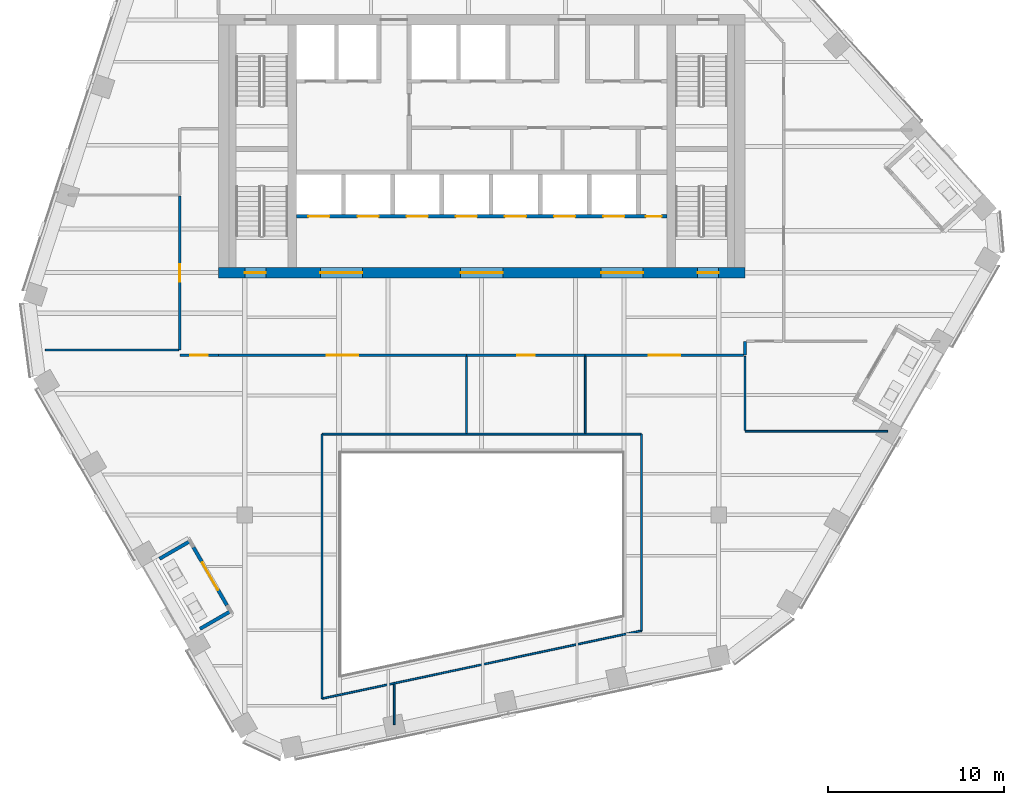
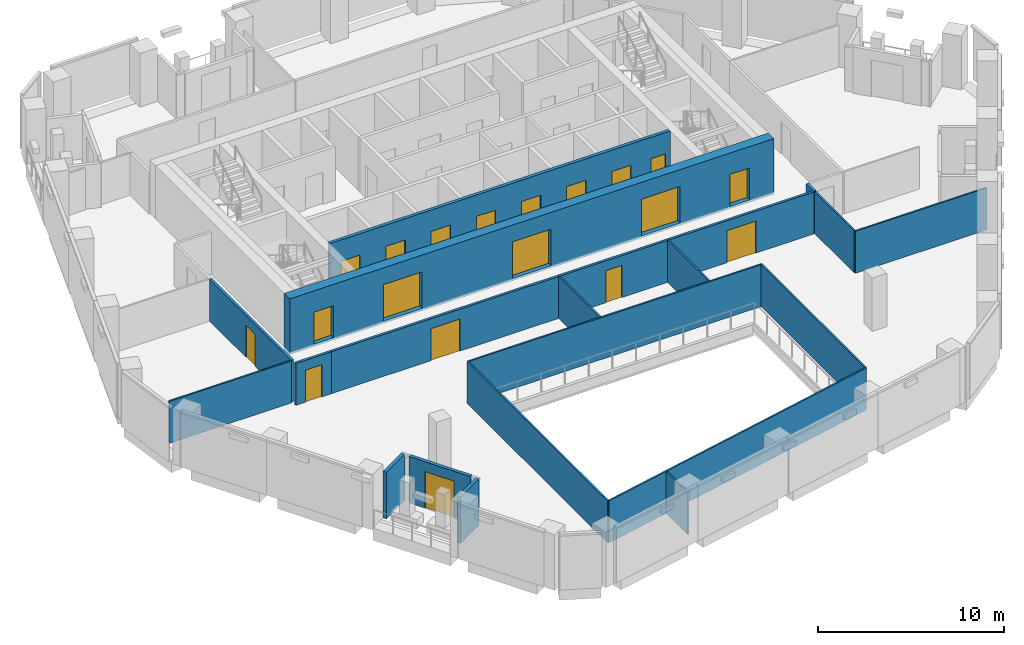
# One storey, part 16 of 25: 21 walls, 19 doors, 19 openings.
"""IFC4 building model written with IfcOpenShell, lengths in metres."""

from ifc_helpers import new_model, si_unit, direction, frame, frame_2d, origin, place, context, subcontext, project, spatial, rectangle, extrude, material, layer, layer_set, type_object, element, fill, save


model = new_model("IFC4")

# Units and contexts
model_context = context("Model", 3, precision=1e-05, world=origin(), true_north=direction((0.0, 1.0)))
body_context = subcontext(model_context, "Body", "Model", "MODEL_VIEW")
ifc_project = project(units=[si_unit("LENGTHUNIT", "METRE"), si_unit("AREAUNIT", "SQUARE_METRE"), si_unit("VOLUMEUNIT", "CUBIC_METRE"), si_unit("PLANEANGLEUNIT", "RADIAN"), si_unit("MASSUNIT", "GRAM", prefix="KILO")], contexts=[model_context])

# Site, building, storey
site_placement = place(None, origin())
site = spatial("IfcSite", under=ifc_project, at=site_placement, CompositionType="ELEMENT")
building_placement = place(site_placement, origin())
building = spatial("IfcBuilding", under=site, at=building_placement, Name="Isthmus Gate Tower", CompositionType="ELEMENT")
storey_placement = place(building_placement, frame((0.0, 0.0, 249.14990234375)))
storey = spatial("IfcBuildingStorey", under=building, at=storey_placement, Name="L63", CompositionType="ELEMENT", Elevation=249.14990234375)

# Walls
ifc_material_1 = material(Name="Fire-rated laminated glass in steel frame", Category="steel")
ifc_layer_1 = layer(ifc_material_1, 0.10009765625)
ifc_layer_set_1 = layer_set([ifc_layer_1], Name="ATRIUM SCREEN GLAZED WALL 100 120 MIN")
wall_type_1 = type_object("IfcWallType", Name="ATRIUM SCREEN GLAZED WALL 100 120 MIN", PredefinedType="PARTITIONING", material=ifc_layer_set_1)
wall_1_placement = place(storey_placement, frame((-9.10009765625, -8.89990234375, 0.0), z_axis=(0.0, 0.0, 1.0), x_axis=(1.0, 0.0, 0.0)))
element("IfcWall", 1, at=wall_1_placement, inside=storey, type_object=wall_type_1, Name="L63 atrium screen", PredefinedType="PARTITIONING", context=body_context, shape_type="SweptSolid", body=[
    extrude(rectangle(XDim=18.2001953125, YDim=0.10009765625, at=frame_2d((9.10009765625, 0.0))), origin(), (0.0, 0.0, 1.0), 2.750732421875),
])
wall_2_placement = place(storey_placement, frame((9.10009765625, -8.89990234375, 0.0), z_axis=(0.0, 0.0, 1.0), x_axis=(0.0, -1.0, 0.0)))
element("IfcWall", 2, at=wall_2_placement, inside=storey, type_object=wall_type_1, Name="L63 atrium screen", PredefinedType="PARTITIONING", context=body_context, shape_type="SweptSolid", body=[
    extrude(rectangle(XDim=11.200927734375, YDim=0.10009765625, at=frame_2d((5.6005859375, 0.0))), origin(), (0.0, 0.0, 1.0), 2.750732421875),
])
wall_3_placement = place(storey_placement, frame((9.10009765625, -20.100830078125, 0.0), z_axis=(0.0, 0.0, 1.0), x_axis=(-0.978146710971, -0.207915876778, 0.0)))
element("IfcWall", 3, at=wall_3_placement, inside=storey, type_object=wall_type_1, Name="L63 atrium screen", PredefinedType="PARTITIONING", context=body_context, shape_type="SweptSolid", body=[
    extrude(rectangle(XDim=18.60693359375, YDim=0.10009765625, at=frame_2d((9.303466796875, 0.0))), origin(), (0.0, 0.0, 1.0), 2.750732421875),
])
wall_4_placement = place(storey_placement, frame((-9.10009765625, -23.969482421875, 0.0), z_axis=(0.0, 0.0, 1.0), x_axis=(0.0, 1.0, 0.0)))
element("IfcWall", 4, at=wall_4_placement, inside=storey, type_object=wall_type_1, Name="L63 atrium screen", PredefinedType="PARTITIONING", context=body_context, shape_type="SweptSolid", body=[
    extrude(rectangle(XDim=15.069580078125, YDim=0.10009765625, at=frame_2d((7.53466796875, 0.0))), origin(), (0.0, 0.0, 1.0), 2.750732421875),
])

# Wall, opening, door
ifc_material_2 = material(Name="Gypsum board on steel studs, fire-rated", Category="steel")
ifc_layer_2 = layer(ifc_material_2, 0.14990234375)
ifc_layer_set_2 = layer_set([ifc_layer_2], Name="CORRIDOR WALL 150 60 MIN")
wall_type_2 = type_object("IfcWallType", Name="CORRIDOR WALL 150 60 MIN", PredefinedType="PARTITIONING", material=ifc_layer_set_2)
wall_5_placement = place(storey_placement, frame((5.89208984375, -4.39990234375, 0.0), z_axis=(0.0, 0.0, 1.0), x_axis=(-1.0, 0.0, 0.0)))
wall_5 = element("IfcWall", 5, at=wall_5_placement, inside=storey, type_object=wall_type_2, Name="L63 Corridor Wall 150 60 Min", PredefinedType="PARTITIONING", context=body_context, shape_type="SweptSolid", body=[
    extrude(rectangle(XDim=6.759033203125, YDim=0.14990234375, at=frame_2d((3.37939453125, 0.0))), origin(), (0.0, 0.0, 1.0), 2.750732421875),
])
opening_1_placement = place(wall_5_placement, frame((2.87939453125, 0.0, 0.0)))
opening_1 = element("IfcOpeningElement", 6, at=opening_1_placement, cuts=wall_5, Name="Opening DT-T5D-06", PredefinedType="OPENING", context=body_context, shape_type="SweptSolid", body=[
    extrude(rectangle(XDim=1.0, YDim=2.10009765625, at=frame_2d((0.5, 1.050048828125))), frame((0.0, 0.0849609375, 0.0), z_axis=(0.0, -1.0, 0.0), x_axis=(1.0, 0.0, 0.0)), (0.0, 0.0, 1.0), 0.169921875),
])
ifc_material_3 = material(Name="Solid core timber door leaf, fire-rated", Category="wood")
door_type_1 = type_object("IfcDoorType", Name="FIRE DOOR ROOM 1000 X 2100 60 MIN", OperationType="SINGLE_SWING_LEFT", PredefinedType="DOOR", material=ifc_material_3)
door_1_placement = place(opening_1_placement, origin())
door_1 = element("IfcDoor", 7, at=door_1_placement, inside=storey, type_object=door_type_1, Name="L63 room door", OperationType="SINGLE_SWING_RIGHT", OverallHeight=2.10009765625, OverallWidth=1.0, PredefinedType="DOOR", context=body_context, shape_type="SweptSolid", body=[
    extrude(rectangle(XDim=1.0, YDim=2.10009765625, at=frame_2d((0.5, 1.050048828125))), frame((0.0, 0.02490234375, 0.0), z_axis=(0.0, -1.0, 0.0), x_axis=(1.0, 0.0, 0.0)), (0.0, 0.0, 1.0), 0.050048828125),
])
fill(opening_1, door_1)

# Wall
wall_6_placement = place(storey_placement, frame((15.0, -3.614013671875, 0.0), z_axis=(0.0, 0.0, 1.0), x_axis=(0.0, -1.0, 0.0)))
element("IfcWall", 8, at=wall_6_placement, inside=storey, type_object=wall_type_2, Name="L63 Corridor Wall 150 60 Min", PredefinedType="PARTITIONING", context=body_context, shape_type="SweptSolid", body=[
    extrude(rectangle(XDim=0.785888671875, YDim=0.14990234375, at=frame_2d((0.39306640625, 0.0))), origin(), (0.0, 0.0, 1.0), 2.750732421875),
])

# Wall, opening, door
wall_7_placement = place(storey_placement, frame((-0.866943359375, -4.39990234375, 0.0), z_axis=(0.0, 0.0, 1.0), x_axis=(-1.0, 0.0, 0.0)))
wall_7 = element("IfcWall", 9, at=wall_7_placement, inside=storey, type_object=wall_type_2, Name="L63 Corridor Wall 150 60 Min", PredefinedType="PARTITIONING", context=body_context, shape_type="SweptSolid", body=[
    extrude(rectangle(XDim=14.133056640625, YDim=0.14990234375, at=frame_2d((7.06640625, 0.0))), origin(), (0.0, 0.0, 1.0), 2.750732421875),
])
opening_2_placement = place(wall_7_placement, frame((6.16650390625, 0.0, 0.0)))
opening_2 = element("IfcOpeningElement", 10, at=opening_2_placement, cuts=wall_7, Name="Opening DT-T5D-08", PredefinedType="OPENING", context=body_context, shape_type="SweptSolid", body=[
    extrude(rectangle(XDim=1.800048828125, YDim=2.10009765625, at=frame_2d((0.89990234375, 1.050048828125))), frame((0.0, 0.0849609375, 0.0), z_axis=(0.0, -1.0, 0.0), x_axis=(1.0, 0.0, 0.0)), (0.0, 0.0, 1.0), 0.169921875),
])
ifc_material_4 = material(Name="Solid core timber door leaf, fire-rated", Category="wood")
door_type_2 = type_object("IfcDoorType", Name="FIRE DOOR ROOM 1800 X 2100 60 MIN", OperationType="DOUBLE_DOOR_DOUBLE_SWING", PredefinedType="DOOR", material=ifc_material_4)
door_2_placement = place(opening_2_placement, origin())
door_2 = element("IfcDoor", 11, at=door_2_placement, inside=storey, type_object=door_type_2, Name="L63 room door", OperationType="DOUBLE_DOOR_DOUBLE_SWING", OverallHeight=2.10009765625, OverallWidth=1.800048828125, PredefinedType="DOOR", context=body_context, shape_type="SweptSolid", body=[
    extrude(rectangle(XDim=1.800048828125, YDim=2.10009765625, at=frame_2d((0.89990234375, 1.050048828125))), frame((0.0, 0.02490234375, 0.0), z_axis=(0.0, -1.0, 0.0), x_axis=(1.0, 0.0, 0.0)), (0.0, 0.0, 1.0), 0.050048828125),
])
fill(opening_2, door_2)

wall_8_placement = place(storey_placement, frame((14.925048828125, -4.39990234375, 0.0), z_axis=(0.0, 0.0, 1.0), x_axis=(-1.0, 0.0, 0.0)))
wall_8 = element("IfcWall", 12, at=wall_8_placement, inside=storey, type_object=wall_type_2, Name="L63 Corridor Wall 150 60 Min", PredefinedType="PARTITIONING", context=body_context, shape_type="SweptSolid", body=[
    extrude(rectangle(XDim=9.032958984375, YDim=0.14990234375, at=frame_2d((4.5166015625, 0.0))), origin(), (0.0, 0.0, 1.0), 2.750732421875),
])
opening_3_placement = place(wall_8_placement, frame((3.616455078125, 0.0, 0.0)))
opening_3 = element("IfcOpeningElement", 13, at=opening_3_placement, cuts=wall_8, Name="Opening DT-T5D-10", PredefinedType="OPENING", context=body_context, shape_type="SweptSolid", body=[
    extrude(rectangle(XDim=1.800048828125, YDim=2.10009765625, at=frame_2d((0.89990234375, 1.050048828125))), frame((0.0, 0.0849609375, 0.0), z_axis=(0.0, -1.0, 0.0), x_axis=(1.0, 0.0, 0.0)), (0.0, 0.0, 1.0), 0.169921875),
])
door_3_placement = place(opening_3_placement, origin())
door_3 = element("IfcDoor", 14, at=door_3_placement, inside=storey, type_object=door_type_2, Name="L63 room door", OperationType="DOUBLE_DOOR_DOUBLE_SWING", OverallHeight=2.10009765625, OverallWidth=1.800048828125, PredefinedType="DOOR", context=body_context, shape_type="SweptSolid", body=[
    extrude(rectangle(XDim=1.800048828125, YDim=2.10009765625, at=frame_2d((0.89990234375, 1.050048828125))), frame((0.0, 0.02490234375, 0.0), z_axis=(0.0, -1.0, 0.0), x_axis=(1.0, 0.0, 0.0)), (0.0, 0.0, 1.0), 0.050048828125),
])
fill(opening_3, door_3)

wall_9_placement = place(storey_placement, frame((-15.0, -4.39990234375, 0.0), z_axis=(0.0, 0.0, 1.0), x_axis=(-1.0, 0.0, 0.0)))
wall_9 = element("IfcWall", 15, at=wall_9_placement, inside=storey, type_object=wall_type_2, Name="L63 Corridor Wall 150 60 Min", PredefinedType="PARTITIONING", context=body_context, shape_type="SweptSolid", body=[
    extrude(rectangle(XDim=2.199951171875, YDim=0.14990234375, at=frame_2d((1.10009765625, 0.0))), origin(), (0.0, 0.0, 1.0), 2.750732421875),
])
opening_4_placement = place(wall_9_placement, frame((0.60009765625, 0.0, 0.0)))
opening_4 = element("IfcOpeningElement", 16, at=opening_4_placement, cuts=wall_9, Name="Opening DT-T5D-09", PredefinedType="OPENING", context=body_context, shape_type="SweptSolid", body=[
    extrude(rectangle(XDim=1.0, YDim=2.10009765625, at=frame_2d((0.5, 1.050048828125))), frame((0.0, 0.0849609375, 0.0), z_axis=(0.0, -1.0, 0.0), x_axis=(1.0, 0.0, 0.0)), (0.0, 0.0, 1.0), 0.169921875),
])
door_4_placement = place(opening_4_placement, origin())
door_4 = element("IfcDoor", 17, at=door_4_placement, inside=storey, type_object=door_type_1, Name="L63 room door", OperationType="SINGLE_SWING_RIGHT", OverallHeight=2.10009765625, OverallWidth=1.0, PredefinedType="DOOR", context=body_context, shape_type="SweptSolid", body=[
    extrude(rectangle(XDim=1.0, YDim=2.10009765625, at=frame_2d((0.5, 1.050048828125))), frame((0.0, 0.02490234375, 0.0), z_axis=(0.0, -1.0, 0.0), x_axis=(1.0, 0.0, 0.0)), (0.0, 0.0, 1.0), 0.050048828125),
])
fill(opening_4, door_4)

wall_10_placement = place(storey_placement, frame((-17.199951171875, -4.10009765625, 0.0), z_axis=(0.0, 0.0, 1.0), x_axis=(0.0, 1.0, 0.0)))
wall_10 = element("IfcWall", 18, at=wall_10_placement, inside=storey, type_object=wall_type_2, Name="L63 Corridor Wall 150 60 Min", PredefinedType="PARTITIONING", context=body_context, shape_type="SweptSolid", body=[
    extrude(rectangle(XDim=8.773193359375, YDim=0.14990234375, at=frame_2d((4.38671875, 0.0))), origin(), (0.0, 0.0, 1.0), 2.750732421875),
])
opening_5_placement = place(wall_10_placement, frame((3.886474609375, 0.0, 0.0)))
opening_5 = element("IfcOpeningElement", 19, at=opening_5_placement, cuts=wall_10, Name="Opening DT-T5D-11", PredefinedType="OPENING", context=body_context, shape_type="SweptSolid", body=[
    extrude(rectangle(XDim=1.0, YDim=2.10009765625, at=frame_2d((0.5, 1.050048828125))), frame((0.0, 0.0849609375, 0.0), z_axis=(0.0, -1.0, 0.0), x_axis=(1.0, 0.0, 0.0)), (0.0, 0.0, 1.0), 0.169921875),
])
door_5_placement = place(opening_5_placement, origin())
door_5 = element("IfcDoor", 20, at=door_5_placement, inside=storey, type_object=door_type_1, Name="L63 room door", OperationType="SINGLE_SWING_RIGHT", OverallHeight=2.10009765625, OverallWidth=1.0, PredefinedType="DOOR", context=body_context, shape_type="SweptSolid", body=[
    extrude(rectangle(XDim=1.0, YDim=2.10009765625, at=frame_2d((0.5, 1.050048828125))), frame((0.0, 0.02490234375, 0.0), z_axis=(0.0, -1.0, 0.0), x_axis=(1.0, 0.0, 0.0)), (0.0, 0.0, 1.0), 0.050048828125),
])
fill(opening_5, door_5)

ifc_material_5 = material(Name="Precast concrete C40/50", Category="concrete")
ifc_layer_3 = layer(ifc_material_5, 0.199951171875)
ifc_layer_set_3 = layer_set([ifc_layer_3], Name="LOGGIA WALL 200")
wall_type_3 = type_object("IfcWallType", Name="LOGGIA WALL 200", PredefinedType="SOLIDWALL", material=ifc_layer_set_3)
wall_11_placement = place(storey_placement, frame((-16.426025390625, -15.349365234375, 0.0), z_axis=(0.0, 0.0, 1.0), x_axis=(0.500018212969, -0.866014888266, 0.0)))
wall_11 = element("IfcWall", 21, at=wall_11_placement, inside=storey, type_object=wall_type_3, Name="LOGGIA BACK WALL", PredefinedType="SOLIDWALL", context=body_context, shape_type="SweptSolid", body=[
    extrude(rectangle(XDim=3.810791015625, YDim=0.199951171875, at=frame_2d((1.9052734375, 0.0))), origin(), (0.0, 0.0, 1.0), 3.04931640625),
])
opening_6_placement = place(wall_11_placement, frame((1.00537109375, 0.0, 0.0)))
opening_6 = element("IfcOpeningElement", 22, at=opening_6_placement, cuts=wall_11, Name="Opening DE63-03", PredefinedType="OPENING", context=body_context, shape_type="SweptSolid", body=[
    extrude(rectangle(XDim=1.800048828125, YDim=2.39990234375, at=frame_2d((0.89990234375, 1.199951171875))), frame((0.0, 0.10986328125, 0.0), z_axis=(0.0, -1.0, 0.0), x_axis=(1.0, 0.0, 0.0)), (0.0, 0.0, 1.0), 0.219970703125),
])
ifc_material_6 = material(Name="Aluminium, pale champagne anodised, laminated glass", Category="aluminium")
door_type_3 = type_object("IfcDoorType", Name="LOGGIA DOOR SLIDING 1800 X 2400", OperationType="DOUBLE_DOOR_SLIDING", PredefinedType="DOOR", material=ifc_material_6)
door_6_placement = place(opening_6_placement, origin())
door_6 = element("IfcDoor", 23, at=door_6_placement, inside=storey, type_object=door_type_3, Name="DOOR DE63-03", OperationType="SINGLE_SWING_LEFT", OverallHeight=2.39990234375, OverallWidth=1.800048828125, PredefinedType="DOOR", context=body_context, shape_type="SweptSolid", body=[
    extrude(rectangle(XDim=1.800048828125, YDim=2.39990234375, at=frame_2d((0.89990234375, 1.199951171875))), frame((0.0, 0.02490234375, 0.0), z_axis=(0.0, -1.0, 0.0), x_axis=(1.0, 0.0, 0.0)), (0.0, 0.0, 1.0), 0.050048828125),
])
fill(opening_6, door_6)

# Walls
for number, where, z_axis, x_axis, name in (
    (24, (-18.35791015625, -16.003173828125, 0.0), (0.0, 0.0, 1.0), (0.865992964694, 0.500056181943, 0.0), "LOGGIA SIDE WALL"),
    (25, (-16.052734375, -19.995849609375, 0.0), (0.0, 0.0, 1.0), (0.866046247233, 0.49996389635, 0.0), "LOGGIA SIDE WALL"),
):
    element("IfcWall", number, at=place(storey_placement, frame(where, z_axis=z_axis, x_axis=x_axis)), inside=storey, type_object=wall_type_3, Name=name, PredefinedType="SOLIDWALL", context=body_context, shape_type="SweptSolid", body=[
        extrude(rectangle(XDim=1.984130859375, YDim=0.199951171875, at=frame_2d((0.9921875, 0.0))), origin(), (0.0, 0.0, 1.0), 3.050048828125),
    ])

# Wall, openings, doors
ifc_material_7 = material(Name="Concrete f'c 50 MPa", Category="concrete")
ifc_layer_4 = layer(ifc_material_7, 0.60009765625)
ifc_layer_set_4 = layer_set([ifc_layer_4], Name="RC CORE WALL 600 F'C 50")
wall_type_4 = type_object("IfcWallType", Name="RC CORE WALL 600 F'C 50", PredefinedType="SOLIDWALL", material=ifc_layer_set_4)
wall_12_placement = place(storey_placement, frame((-15.0, 0.300048828125, -0.14990234375), z_axis=(0.0, 0.0, 1.0), x_axis=(1.0, 0.0, 0.0)))
wall_12 = element("IfcWall", 26, at=wall_12_placement, inside=storey, type_object=wall_type_4, Name="str-corewall-L63-S", PredefinedType="SOLIDWALL", context=body_context, shape_type="SweptSolid", body=[
    extrude(rectangle(XDim=30.0, YDim=0.60009765625, at=frame_2d((15.0, 0.0))), origin(), (0.0, 0.0, 1.0), 3.64990234375),
])
opening_7_placement = place(wall_12_placement, frame((5.800048828125, 0.0, 0.14990234375)))
opening_7 = element("IfcOpeningElement", 27, at=opening_7_placement, cuts=wall_12, Name="Opening DC-A17-10", PredefinedType="OPENING", context=body_context, shape_type="SweptSolid", body=[
    extrude(rectangle(XDim=2.39990234375, YDim=2.39990234375, at=frame_2d((1.199951171875, 1.199951171875))), frame((0.0, 0.31005859375, 0.0), z_axis=(0.0, -1.0, 0.0), x_axis=(1.0, 0.0, 0.0)), (0.0, 0.0, 1.0), 0.6201171875),
])
opening_8_placement = place(wall_12_placement, frame((13.800048828125, 0.0, 0.14990234375)))
opening_8 = element("IfcOpeningElement", 28, at=opening_8_placement, cuts=wall_12, Name="Opening DC-A17-11", PredefinedType="OPENING", context=body_context, shape_type="SweptSolid", body=[
    extrude(rectangle(XDim=2.39990234375, YDim=2.39990234375, at=frame_2d((1.199951171875, 1.199951171875))), frame((0.0, 0.31005859375, 0.0), z_axis=(0.0, -1.0, 0.0), x_axis=(1.0, 0.0, 0.0)), (0.0, 0.0, 1.0), 0.6201171875),
])
opening_9_placement = place(wall_12_placement, frame((21.800048828125, 0.0, 0.14990234375)))
opening_9 = element("IfcOpeningElement", 29, at=opening_9_placement, cuts=wall_12, Name="Opening DC-A17-12", PredefinedType="OPENING", context=body_context, shape_type="SweptSolid", body=[
    extrude(rectangle(XDim=2.39990234375, YDim=2.39990234375, at=frame_2d((1.199951171875, 1.199951171875))), frame((0.0, 0.31005859375, 0.0), z_axis=(0.0, -1.0, 0.0), x_axis=(1.0, 0.0, 0.0)), (0.0, 0.0, 1.0), 0.6201171875),
])
opening_10_placement = place(wall_12_placement, frame((1.5, 0.0, 0.14990234375)))
opening_10 = element("IfcOpeningElement", 30, at=opening_10_placement, cuts=wall_12, Name="Opening DC-A17-17", PredefinedType="OPENING", context=body_context, shape_type="SweptSolid", body=[
    extrude(rectangle(XDim=1.199951171875, YDim=2.10009765625, at=frame_2d((0.60009765625, 1.050048828125))), frame((0.0, 0.31005859375, 0.0), z_axis=(0.0, -1.0, 0.0), x_axis=(1.0, 0.0, 0.0)), (0.0, 0.0, 1.0), 0.6201171875),
])
opening_11_placement = place(wall_12_placement, frame((27.300048828125, 0.0, 0.14990234375)))
opening_11 = element("IfcOpeningElement", 31, at=opening_11_placement, cuts=wall_12, Name="Opening DC-A17-18", PredefinedType="OPENING", context=body_context, shape_type="SweptSolid", body=[
    extrude(rectangle(XDim=1.199951171875, YDim=2.10009765625, at=frame_2d((0.60009765625, 1.050048828125))), frame((0.0, 0.31005859375, 0.0), z_axis=(0.0, -1.0, 0.0), x_axis=(1.0, 0.0, 0.0)), (0.0, 0.0, 1.0), 0.6201171875),
])
ifc_material_8 = material(Name="Laminated safety glass in steel frame, fire-rated", Category="steel")
door_type_4 = type_object("IfcDoorType", Name="LOBBY ENTRANCE FIRE DOOR 2400 X 2400 60 MIN", OperationType="DOUBLE_DOOR_DOUBLE_SWING", PredefinedType="DOOR", material=ifc_material_8)
door_7_placement = place(opening_7_placement, origin())
door_7 = element("IfcDoor", 32, at=door_7_placement, inside=storey, type_object=door_type_4, Name="Lobby Entrance PS-W", OperationType="DOUBLE_DOOR_DOUBLE_SWING", OverallHeight=2.39990234375, OverallWidth=2.39990234375, PredefinedType="DOOR", context=body_context, shape_type="SweptSolid", body=[
    extrude(rectangle(XDim=2.39990234375, YDim=2.39990234375, at=frame_2d((1.199951171875, 1.199951171875))), frame((0.0, 0.02490234375, 0.0), z_axis=(0.0, -1.0, 0.0), x_axis=(1.0, 0.0, 0.0)), (0.0, 0.0, 1.0), 0.050048828125),
])
fill(opening_7, door_7)
door_8_placement = place(opening_8_placement, origin())
door_8 = element("IfcDoor", 33, at=door_8_placement, inside=storey, type_object=door_type_4, Name="Lobby Entrance PS-C", OperationType="DOUBLE_DOOR_DOUBLE_SWING", OverallHeight=2.39990234375, OverallWidth=2.39990234375, PredefinedType="DOOR", context=body_context, shape_type="SweptSolid", body=[
    extrude(rectangle(XDim=2.39990234375, YDim=2.39990234375, at=frame_2d((1.199951171875, 1.199951171875))), frame((0.0, 0.02490234375, 0.0), z_axis=(0.0, -1.0, 0.0), x_axis=(1.0, 0.0, 0.0)), (0.0, 0.0, 1.0), 0.050048828125),
])
fill(opening_8, door_8)
door_9_placement = place(opening_9_placement, origin())
door_9 = element("IfcDoor", 34, at=door_9_placement, inside=storey, type_object=door_type_4, Name="Lobby Entrance PS-E", OperationType="DOUBLE_DOOR_DOUBLE_SWING", OverallHeight=2.39990234375, OverallWidth=2.39990234375, PredefinedType="DOOR", context=body_context, shape_type="SweptSolid", body=[
    extrude(rectangle(XDim=2.39990234375, YDim=2.39990234375, at=frame_2d((1.199951171875, 1.199951171875))), frame((0.0, 0.02490234375, 0.0), z_axis=(0.0, -1.0, 0.0), x_axis=(1.0, 0.0, 0.0)), (0.0, 0.0, 1.0), 0.050048828125),
])
fill(opening_9, door_9)
ifc_material_9 = material(Name="Steel door leaf, fire-rated", Category="steel")
door_type_5 = type_object("IfcDoorType", Name="STAIR FIRE DOOR 1200 X 2100 90 MIN", OperationType="SINGLE_SWING_LEFT", PredefinedType="DOOR", material=ifc_material_9)
door_10_placement = place(opening_10_placement, origin())
door_10 = element("IfcDoor", 35, at=door_10_placement, inside=storey, type_object=door_type_5, Name="Exit Stair 7 Door", OperationType="SINGLE_SWING_LEFT", OverallHeight=2.10009765625, OverallWidth=1.199951171875, PredefinedType="DOOR", context=body_context, shape_type="SweptSolid", body=[
    extrude(rectangle(XDim=1.199951171875, YDim=2.10009765625, at=frame_2d((0.60009765625, 1.050048828125))), frame((0.0, 0.02490234375, 0.0), z_axis=(0.0, -1.0, 0.0), x_axis=(1.0, 0.0, 0.0)), (0.0, 0.0, 1.0), 0.050048828125),
])
fill(opening_10, door_10)
door_11_placement = place(opening_11_placement, origin())
door_11 = element("IfcDoor", 36, at=door_11_placement, inside=storey, type_object=door_type_5, Name="Exit Stair 8 Door", OperationType="SINGLE_SWING_RIGHT", OverallHeight=2.10009765625, OverallWidth=1.199951171875, PredefinedType="DOOR", context=body_context, shape_type="SweptSolid", body=[
    extrude(rectangle(XDim=1.199951171875, YDim=2.10009765625, at=frame_2d((0.60009765625, 1.050048828125))), frame((0.0, 0.02490234375, 0.0), z_axis=(0.0, -1.0, 0.0), x_axis=(1.0, 0.0, 0.0)), (0.0, 0.0, 1.0), 0.050048828125),
])
fill(opening_11, door_11)

# Walls
ifc_material_10 = material(Name="Gypsum board on steel studs, fire-rated", Category="steel")
ifc_layer_5 = layer(ifc_material_10, 0.10009765625)
ifc_layer_set_5 = layer_set([ifc_layer_5], Name="ROOM PARTITION 100 30 MIN")
wall_type_5 = type_object("IfcWallType", Name="ROOM PARTITION 100 30 MIN", PredefinedType="PARTITIONING", material=ifc_layer_set_5)
wall_13_placement = place(storey_placement, frame((5.89208984375, -8.85009765625, 0.0), z_axis=(0.0, 0.0, 1.0), x_axis=(0.0, 1.0, 0.0)))
element("IfcWall", 37, at=wall_13_placement, inside=storey, type_object=wall_type_5, Name="L63 Room Partition 100 30 Min", PredefinedType="PARTITIONING", context=body_context, shape_type="SweptSolid", body=[
    extrude(rectangle(XDim=4.375, YDim=0.10009765625, at=frame_2d((2.1875, 0.0))), origin(), (0.0, 0.0, 1.0), 2.750732421875),
])
wall_14_placement = place(storey_placement, frame((15.0, -8.735107421875, 0.0), z_axis=(0.0, 0.0, 1.0), x_axis=(1.0, 0.0, 0.0)))
element("IfcWall", 38, at=wall_14_placement, inside=storey, type_object=wall_type_5, Name="L63 Room Partition 100 30 Min", PredefinedType="PARTITIONING", context=body_context, shape_type="SweptSolid", body=[
    extrude(rectangle(XDim=8.132080078125, YDim=0.10009765625, at=frame_2d((4.06591796875, 0.0))), origin(), (0.0, 0.0, 1.0), 2.750732421875),
])
wall_15_placement = place(storey_placement, frame((-0.866943359375, -8.85009765625, 0.0), z_axis=(0.0, 0.0, 1.0), x_axis=(0.0, 1.0, 0.0)))
element("IfcWall", 39, at=wall_15_placement, inside=storey, type_object=wall_type_5, Name="L63 Room Partition 100 30 Min", PredefinedType="PARTITIONING", context=body_context, shape_type="SweptSolid", body=[
    extrude(rectangle(XDim=4.375, YDim=0.10009765625, at=frame_2d((2.1875, 0.0))), origin(), (0.0, 0.0, 1.0), 2.750732421875),
])
wall_16_placement = place(storey_placement, frame((-4.989990234375, -25.447021484375, 0.0), z_axis=(0.0, 0.0, 1.0), x_axis=(0.0, 1.0, 0.0)))
element("IfcWall", 40, at=wall_16_placement, inside=storey, type_object=wall_type_5, Name="L63 Room Partition 100 30 Min", PredefinedType="PARTITIONING", context=body_context, shape_type="SweptSolid", body=[
    extrude(rectangle(XDim=2.300048828125, YDim=0.10009765625, at=frame_2d((1.14990234375, 0.0))), origin(), (0.0, 0.0, 1.0), 2.750732421875),
])
wall_17_placement = place(storey_placement, frame((15.0, -8.68505859375, 0.0), z_axis=(0.0, 0.0, 1.0), x_axis=(0.0, 1.0, 0.0)))
element("IfcWall", 41, at=wall_17_placement, inside=storey, type_object=wall_type_5, Name="L63 Room Partition 100 30 Min", PredefinedType="PARTITIONING", context=body_context, shape_type="SweptSolid", body=[
    extrude(rectangle(XDim=4.2099609375, YDim=0.10009765625, at=frame_2d((2.10498046875, 0.0))), origin(), (0.0, 0.0, 1.0), 2.750732421875),
])
wall_18_placement = place(storey_placement, frame((-24.85693359375, -4.10009765625, 0.0), z_axis=(0.0, 0.0, 1.0), x_axis=(1.0, 0.0, 0.0)))
element("IfcWall", 42, at=wall_18_placement, inside=storey, type_object=wall_type_5, Name="L63 Room Partition 100 30 Min", PredefinedType="PARTITIONING", context=body_context, shape_type="SweptSolid", body=[
    extrude(rectangle(XDim=7.58203125, YDim=0.10009765625, at=frame_2d((3.791015625, 0.0))), origin(), (0.0, 0.0, 1.0), 2.750732421875),
])

# Wall, openings, doors
ifc_material_11 = material(Name="Fire-rated blockwork masonry, 15 MPa", Category="masonry")
ifc_layer_6 = layer(ifc_material_11, 0.199951171875)
ifc_layer_set_6 = layer_set([ifc_layer_6], Name="SHAFT FRONT WALL 200 120 MIN")
wall_type_6 = type_object("IfcWallType", Name="SHAFT FRONT WALL 200 120 MIN", PredefinedType="PARTITIONING", material=ifc_layer_set_6)
wall_19_placement = place(storey_placement, frame((-10.550048828125, 3.5, 0.0), z_axis=(0.0, 0.0, 1.0), x_axis=(1.0, 0.0, 0.0)))
wall_19 = element("IfcWall", 43, at=wall_19_placement, inside=storey, type_object=wall_type_6, Name="L63 SHAFT FRONT WALL 200 120 MIN", PredefinedType="PARTITIONING", context=body_context, shape_type="SweptSolid", body=[
    extrude(rectangle(XDim=21.10009765625, YDim=0.199951171875, at=frame_2d((10.550048828125, 0.0))), origin(), (0.0, 0.0, 1.0), 3.5),
])
opening_12_placement = place(wall_19_placement, frame((0.675048828125, 0.0, 0.0)))
opening_12 = element("IfcOpeningElement", 44, at=opening_12_placement, cuts=wall_19, Name="Opening LD-LC1", PredefinedType="OPENING", context=body_context, shape_type="SweptSolid", body=[
    extrude(rectangle(XDim=1.199951171875, YDim=2.10009765625, at=frame_2d((0.60009765625, 1.050048828125))), frame((0.0, 0.10986328125, 0.0), z_axis=(0.0, -1.0, 0.0), x_axis=(1.0, 0.0, 0.0)), (0.0, 0.0, 1.0), 0.219970703125),
])
opening_13_placement = place(wall_19_placement, frame((3.47509765625, 0.0, 0.0)))
opening_13 = element("IfcOpeningElement", 45, at=opening_13_placement, cuts=wall_19, Name="Opening LD-LC2", PredefinedType="OPENING", context=body_context, shape_type="SweptSolid", body=[
    extrude(rectangle(XDim=1.199951171875, YDim=2.10009765625, at=frame_2d((0.60009765625, 1.050048828125))), frame((0.0, 0.10986328125, 0.0), z_axis=(0.0, -1.0, 0.0), x_axis=(1.0, 0.0, 0.0)), (0.0, 0.0, 1.0), 0.219970703125),
])
opening_14_placement = place(wall_19_placement, frame((6.27490234375, 0.0, 0.0)))
opening_14 = element("IfcOpeningElement", 46, at=opening_14_placement, cuts=wall_19, Name="Opening LD-LC3", PredefinedType="OPENING", context=body_context, shape_type="SweptSolid", body=[
    extrude(rectangle(XDim=1.199951171875, YDim=2.10009765625, at=frame_2d((0.60009765625, 1.050048828125))), frame((0.0, 0.10986328125, 0.0), z_axis=(0.0, -1.0, 0.0), x_axis=(1.0, 0.0, 0.0)), (0.0, 0.0, 1.0), 0.219970703125),
])
opening_15_placement = place(wall_19_placement, frame((9.074951171875, 0.0, 0.0)))
opening_15 = element("IfcOpeningElement", 47, at=opening_15_placement, cuts=wall_19, Name="Opening LD-LC4", PredefinedType="OPENING", context=body_context, shape_type="SweptSolid", body=[
    extrude(rectangle(XDim=1.199951171875, YDim=2.10009765625, at=frame_2d((0.60009765625, 1.050048828125))), frame((0.0, 0.10986328125, 0.0), z_axis=(0.0, -1.0, 0.0), x_axis=(1.0, 0.0, 0.0)), (0.0, 0.0, 1.0), 0.219970703125),
])
opening_16_placement = place(wall_19_placement, frame((11.875, 0.0, 0.0)))
opening_16 = element("IfcOpeningElement", 48, at=opening_16_placement, cuts=wall_19, Name="Opening LD-LC5", PredefinedType="OPENING", context=body_context, shape_type="SweptSolid", body=[
    extrude(rectangle(XDim=1.199951171875, YDim=2.10009765625, at=frame_2d((0.60009765625, 1.050048828125))), frame((0.0, 0.10986328125, 0.0), z_axis=(0.0, -1.0, 0.0), x_axis=(1.0, 0.0, 0.0)), (0.0, 0.0, 1.0), 0.219970703125),
])
opening_17_placement = place(wall_19_placement, frame((14.675048828125, 0.0, 0.0)))
opening_17 = element("IfcOpeningElement", 49, at=opening_17_placement, cuts=wall_19, Name="Opening LD-LC6", PredefinedType="OPENING", context=body_context, shape_type="SweptSolid", body=[
    extrude(rectangle(XDim=1.199951171875, YDim=2.10009765625, at=frame_2d((0.60009765625, 1.050048828125))), frame((0.0, 0.10986328125, 0.0), z_axis=(0.0, -1.0, 0.0), x_axis=(1.0, 0.0, 0.0)), (0.0, 0.0, 1.0), 0.219970703125),
])
opening_18_placement = place(wall_19_placement, frame((17.47509765625, 0.0, 0.0)))
opening_18 = element("IfcOpeningElement", 50, at=opening_18_placement, cuts=wall_19, Name="Opening LD-LC7", PredefinedType="OPENING", context=body_context, shape_type="SweptSolid", body=[
    extrude(rectangle(XDim=1.199951171875, YDim=2.10009765625, at=frame_2d((0.60009765625, 1.050048828125))), frame((0.0, 0.10986328125, 0.0), z_axis=(0.0, -1.0, 0.0), x_axis=(1.0, 0.0, 0.0)), (0.0, 0.0, 1.0), 0.219970703125),
])
opening_19_placement = place(wall_19_placement, frame((19.89990234375, 0.0, 0.0)))
opening_19 = element("IfcOpeningElement", 51, at=opening_19_placement, cuts=wall_19, Name="Opening DC-A17-02", PredefinedType="OPENING", context=body_context, shape_type="SweptSolid", body=[
    extrude(rectangle(XDim=0.89990234375, YDim=2.10009765625, at=frame_2d((0.449951171875, 1.050048828125))), frame((0.0, 0.10986328125, 0.0), z_axis=(0.0, -1.0, 0.0), x_axis=(1.0, 0.0, 0.0)), (0.0, 0.0, 1.0), 0.219970703125),
])
ifc_material_12 = material(Name="Stainless steel sliding leaf", Category="steel")
door_type_6 = type_object("IfcDoorType", Name="LIFT LANDING FIRE DOOR 1200 X 2100 90 MIN", OperationType="DOUBLE_DOOR_SLIDING", PredefinedType="DOOR", material=ifc_material_12)
door_12_placement = place(opening_12_placement, origin())
door_12 = element("IfcDoor", 52, at=door_12_placement, inside=storey, type_object=door_type_6, Name="Lift Landing Door LC1", OperationType="DOUBLE_DOOR_SLIDING", OverallHeight=2.10009765625, OverallWidth=1.199951171875, PredefinedType="DOOR", context=body_context, shape_type="SweptSolid", body=[
    extrude(rectangle(XDim=1.199951171875, YDim=2.10009765625, at=frame_2d((0.60009765625, 1.050048828125))), frame((0.0, 0.02490234375, 0.0), z_axis=(0.0, -1.0, 0.0), x_axis=(1.0, 0.0, 0.0)), (0.0, 0.0, 1.0), 0.050048828125),
])
fill(opening_12, door_12)
door_13_placement = place(opening_13_placement, origin())
door_13 = element("IfcDoor", 53, at=door_13_placement, inside=storey, type_object=door_type_6, Name="Lift Landing Door LC2", OperationType="DOUBLE_DOOR_SLIDING", OverallHeight=2.10009765625, OverallWidth=1.199951171875, PredefinedType="DOOR", context=body_context, shape_type="SweptSolid", body=[
    extrude(rectangle(XDim=1.199951171875, YDim=2.10009765625, at=frame_2d((0.60009765625, 1.050048828125))), frame((0.0, 0.02490234375, 0.0), z_axis=(0.0, -1.0, 0.0), x_axis=(1.0, 0.0, 0.0)), (0.0, 0.0, 1.0), 0.050048828125),
])
fill(opening_13, door_13)
door_14_placement = place(opening_14_placement, origin())
door_14 = element("IfcDoor", 54, at=door_14_placement, inside=storey, type_object=door_type_6, Name="Lift Landing Door LC3", OperationType="DOUBLE_DOOR_SLIDING", OverallHeight=2.10009765625, OverallWidth=1.199951171875, PredefinedType="DOOR", context=body_context, shape_type="SweptSolid", body=[
    extrude(rectangle(XDim=1.199951171875, YDim=2.10009765625, at=frame_2d((0.60009765625, 1.050048828125))), frame((0.0, 0.02490234375, 0.0), z_axis=(0.0, -1.0, 0.0), x_axis=(1.0, 0.0, 0.0)), (0.0, 0.0, 1.0), 0.050048828125),
])
fill(opening_14, door_14)
door_15_placement = place(opening_15_placement, origin())
door_15 = element("IfcDoor", 55, at=door_15_placement, inside=storey, type_object=door_type_6, Name="Lift Landing Door LC4", OperationType="DOUBLE_DOOR_SLIDING", OverallHeight=2.10009765625, OverallWidth=1.199951171875, PredefinedType="DOOR", context=body_context, shape_type="SweptSolid", body=[
    extrude(rectangle(XDim=1.199951171875, YDim=2.10009765625, at=frame_2d((0.60009765625, 1.050048828125))), frame((0.0, 0.02490234375, 0.0), z_axis=(0.0, -1.0, 0.0), x_axis=(1.0, 0.0, 0.0)), (0.0, 0.0, 1.0), 0.050048828125),
])
fill(opening_15, door_15)
door_16_placement = place(opening_16_placement, origin())
door_16 = element("IfcDoor", 56, at=door_16_placement, inside=storey, type_object=door_type_6, Name="Lift Landing Door LC5", OperationType="DOUBLE_DOOR_SLIDING", OverallHeight=2.10009765625, OverallWidth=1.199951171875, PredefinedType="DOOR", context=body_context, shape_type="SweptSolid", body=[
    extrude(rectangle(XDim=1.199951171875, YDim=2.10009765625, at=frame_2d((0.60009765625, 1.050048828125))), frame((0.0, 0.02490234375, 0.0), z_axis=(0.0, -1.0, 0.0), x_axis=(1.0, 0.0, 0.0)), (0.0, 0.0, 1.0), 0.050048828125),
])
fill(opening_16, door_16)
door_17_placement = place(opening_17_placement, origin())
door_17 = element("IfcDoor", 57, at=door_17_placement, inside=storey, type_object=door_type_6, Name="Lift Landing Door LC6", OperationType="DOUBLE_DOOR_SLIDING", OverallHeight=2.10009765625, OverallWidth=1.199951171875, PredefinedType="DOOR", context=body_context, shape_type="SweptSolid", body=[
    extrude(rectangle(XDim=1.199951171875, YDim=2.10009765625, at=frame_2d((0.60009765625, 1.050048828125))), frame((0.0, 0.02490234375, 0.0), z_axis=(0.0, -1.0, 0.0), x_axis=(1.0, 0.0, 0.0)), (0.0, 0.0, 1.0), 0.050048828125),
])
fill(opening_17, door_17)
door_18_placement = place(opening_18_placement, origin())
door_18 = element("IfcDoor", 58, at=door_18_placement, inside=storey, type_object=door_type_6, Name="Lift Landing Door LC7", OperationType="DOUBLE_DOOR_SLIDING", OverallHeight=2.10009765625, OverallWidth=1.199951171875, PredefinedType="DOOR", context=body_context, shape_type="SweptSolid", body=[
    extrude(rectangle(XDim=1.199951171875, YDim=2.10009765625, at=frame_2d((0.60009765625, 1.050048828125))), frame((0.0, 0.02490234375, 0.0), z_axis=(0.0, -1.0, 0.0), x_axis=(1.0, 0.0, 0.0)), (0.0, 0.0, 1.0), 0.050048828125),
])
fill(opening_18, door_18)
ifc_material_13 = material(Name="Steel door leaf, fire-rated", Category="steel")
door_type_7 = type_object("IfcDoorType", Name="RISER FIRE DOOR 900 X 2100 90 MIN", OperationType="SINGLE_SWING_LEFT", PredefinedType="DOOR", material=ifc_material_13)
door_19_placement = place(opening_19_placement, origin())
door_19 = element("IfcDoor", 59, at=door_19_placement, inside=storey, type_object=door_type_7, Name="Riser Door", OperationType="SINGLE_SWING_RIGHT", OverallHeight=2.10009765625, OverallWidth=0.89990234375, PredefinedType="DOOR", context=body_context, shape_type="SweptSolid", body=[
    extrude(rectangle(XDim=0.89990234375, YDim=2.10009765625, at=frame_2d((0.449951171875, 1.050048828125))), frame((0.0, 0.02490234375, 0.0), z_axis=(0.0, -1.0, 0.0), x_axis=(1.0, 0.0, 0.0)), (0.0, 0.0, 1.0), 0.050048828125),
])
fill(opening_19, door_19)

save(model, "model.ifc")
